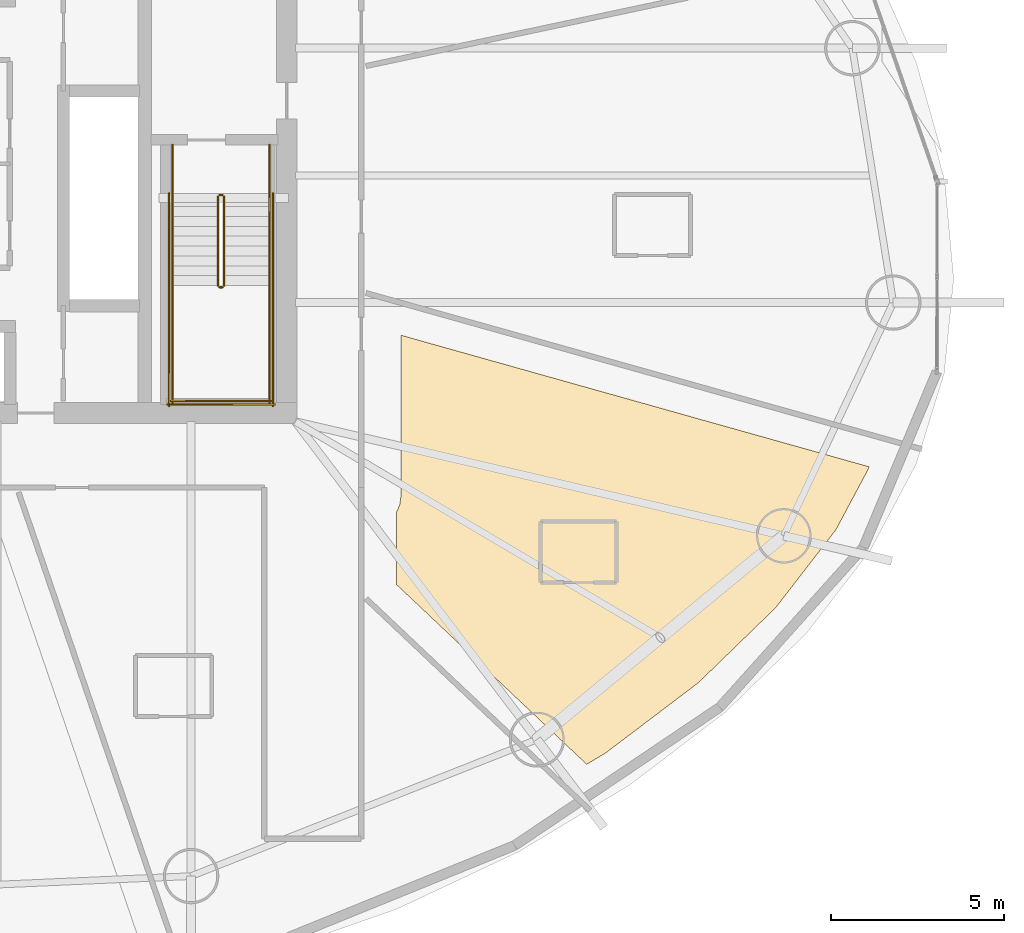
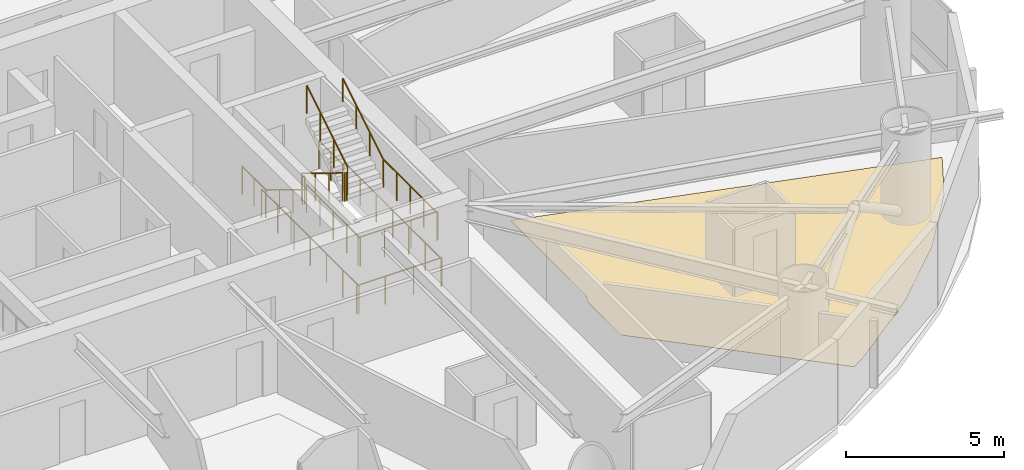
# One storey, part 26 of 27: 14 railings, 1 covering.
"""IFC4 building model written with IfcOpenShell, lengths in metres."""

from ifc_helpers import new_model, si_unit, direction, frame, origin, origin_2d, place, context, subcontext, project, spatial, polyline, circle, outline, extrude, material, layer, layer_set, type_object, element, save


model = new_model("IFC4")

# Units and contexts
model_context = context("Model", 3, precision=1e-05, world=origin(), true_north=direction((0.0, 1.0)))
body_context = subcontext(model_context, "Body", "Model", "MODEL_VIEW")
ifc_project = project(units=[si_unit("LENGTHUNIT", "METRE"), si_unit("AREAUNIT", "SQUARE_METRE"), si_unit("VOLUMEUNIT", "CUBIC_METRE"), si_unit("PLANEANGLEUNIT", "RADIAN"), si_unit("MASSUNIT", "GRAM", prefix="KILO")], contexts=[model_context])

# Site, building, storey
site_placement = place(None, origin())
site = spatial("IfcSite", under=ifc_project, at=site_placement, CompositionType="ELEMENT")
building_placement = place(site_placement, origin())
building = spatial("IfcBuilding", under=site, at=building_placement, Name="Bramvorn Convention Spire", CompositionType="ELEMENT")
storey_placement = place(building_placement, frame((0.0, 0.0, 79.89990234375)))
storey = spatial("IfcBuildingStorey", under=building, at=storey_placement, Name="L18", CompositionType="ELEMENT", Elevation=79.89990234375)

# Covering
ifc_material_1 = material(Name="Solution-Dyed Wool Broadloom Hospitality Carpet", Category="textile")
ifc_layer = layer(ifc_material_1, 0.014892578125)
ifc_layer_set = layer_set([ifc_layer], Name="Solution-Dyed Wool Broadloom Hospitality Carpet - FLR-CARPET-15")
covering_type = type_object("IfcCoveringType", Name="FLR-CARPET-15", PredefinedType="FLOORING", material=ifc_layer_set)
covering_placement = place(storey_placement, origin())
element("IfcCovering", 1, at=covering_placement, inside=storey, type_object=covering_type, Name="Hotel Suite 1812 wool broadloom carpet", PredefinedType="FLOORING", context=body_context, shape_type="SweptSolid", body=[
    extrude(outline(polyline([(52.169921875, 13.845703125), (57.66455078125, 8.652587890625), (58.21533203125, 8.98291015625), (60.892578125, 11.0107421875), (63.120849609375, 13.17236328125), (64.86572265625, 15.430419921875), (65.8330078125, 17.24560546875), (52.300048828125, 21.047607421875), (52.300048828125, 16.39990234375), (52.26123046875, 16.138671875), (52.169921875, 15.936279296875), (52.169921875, 13.845703125)])), origin(), (0.0, 0.0, 1.0), 0.01513671875),
])

# Railings
ifc_material_2 = material(Name="Painted Steel Balustrade & Guardrail", Category="steel")
railing_type_1 = type_object("IfcRailingType", Name="RL-STAIR-GUARD-1100", PredefinedType="GUARDRAIL", material=ifc_material_2)
railing_1_placement = place(storey_placement, frame((47.010009765625, 25.050048828125, 0.175048828125)))
element("IfcRailing", 2, at=railing_1_placement, inside=storey, type_object=railing_type_1, Name="L18 ST2 stair guard 1", PredefinedType="GUARDRAIL", context=body_context, shape_type="SweptSolid", body=[
    extrude(circle(Radius=0.02392578125, at=origin_2d()), frame((0.0, 0.0, 1.076171875), z_axis=(0.0, -0.852173129349, 0.523259933127), x_axis=(1.0, 0.0, 0.0)), (0.0, 0.0, 1.0), 3.009765625),
    extrude(circle(Radius=0.02099609375, at=origin_2d()), origin(), (0.0, 0.0, 1.0), 1.052001953125),
    extrude(circle(Radius=0.02099609375, at=origin_2d()), frame((0.0, -0.85498046875, 0.52490234375)), (0.0, 0.0, 1.0), 1.052001953125),
    extrude(circle(Radius=0.02099609375, at=origin_2d()), frame((0.0, -1.7099609375, 1.050048828125)), (0.0, 0.0, 1.0), 1.052001953125),
    extrude(circle(Radius=0.02099609375, at=origin_2d()), frame((0.0, -2.56494140625, 1.574951171875)), (0.0, 0.0, 1.0), 1.052001953125),
])
railing_2_placement = place(storey_placement, frame((47.06005859375, 22.43505859375, 1.75)))
element("IfcRailing", 3, at=railing_2_placement, inside=storey, type_object=railing_type_1, Name="L18 ST2 stair guard 2", PredefinedType="GUARDRAIL", context=body_context, shape_type="SweptSolid", body=[
    extrude(circle(Radius=0.02392578125, at=origin_2d()), frame((0.0, 0.0, 1.076171875), z_axis=(1.0, 0.0, 0.0), x_axis=(0.0, 1.0, 0.0)), (0.0, 0.0, 1.0), 0.079833984375),
    extrude(circle(Radius=0.02099609375, at=origin_2d()), origin(), (0.0, 0.0, 1.0), 1.052001953125),
    extrude(circle(Radius=0.02099609375, at=origin_2d()), frame((0.079833984375, 0.0, 0.0)), (0.0, 0.0, 1.0), 1.052001953125),
])
for number, where, name in (
    (4, (45.699951171875, 22.485107421875, 1.75), "L18 ST2 stair guard 3"),
    (5, (48.5, 22.485107421875, 1.75), "L18 ST2 stair guard 4"),
):
    element("IfcRailing", number, at=place(storey_placement, frame(where)), inside=storey, type_object=railing_type_1, Name=name, PredefinedType="GUARDRAIL", context=body_context, shape_type="SweptSolid", body=[
        extrude(circle(Radius=0.02392578125, at=origin_2d()), frame((0.0, 0.0, 1.076171875), z_axis=(0.0, -1.0, 0.0), x_axis=(1.0, 0.0, 0.0)), (0.0, 0.0, 1.0), 3.385009765625),
        extrude(circle(Radius=0.02099609375, at=origin_2d()), origin(), (0.0, 0.0, 1.0), 1.052001953125),
        extrude(circle(Radius=0.02099609375, at=origin_2d()), frame((0.0, -0.84619140625, 0.0)), (0.0, 0.0, 1.0), 1.052001953125),
        extrude(circle(Radius=0.02099609375, at=origin_2d()), frame((0.0, -1.6923828125, 0.0)), (0.0, 0.0, 1.0), 1.052001953125),
        extrude(circle(Radius=0.02099609375, at=origin_2d()), frame((0.0, -2.538818359375, 0.0)), (0.0, 0.0, 1.0), 1.052001953125),
        extrude(circle(Radius=0.02099609375, at=origin_2d()), frame((0.0, -3.385009765625, 0.0)), (0.0, 0.0, 1.0), 1.052001953125),
    ])
railing_3_placement = place(storey_placement, frame((45.64990234375, 19.14990234375, 1.75)))
element("IfcRailing", 6, at=railing_3_placement, inside=storey, type_object=railing_type_1, Name="L18 ST2 stair guard 5", PredefinedType="GUARDRAIL", context=body_context, shape_type="SweptSolid", body=[
    extrude(circle(Radius=0.02392578125, at=origin_2d()), frame((0.0, 0.0, 1.076171875), z_axis=(1.0, 0.0, 0.0), x_axis=(0.0, 1.0, 0.0)), (0.0, 0.0, 1.0), 2.900146484375),
    extrude(circle(Radius=0.02099609375, at=origin_2d()), origin(), (0.0, 0.0, 1.0), 1.052001953125),
    extrude(circle(Radius=0.02099609375, at=origin_2d()), frame((0.966796875, 0.0, 0.0)), (0.0, 0.0, 1.0), 1.052001953125),
    extrude(circle(Radius=0.02099609375, at=origin_2d()), frame((1.933349609375, 0.0, 0.0)), (0.0, 0.0, 1.0), 1.052001953125),
    extrude(circle(Radius=0.02099609375, at=origin_2d()), frame((2.900146484375, 0.0, 0.0)), (0.0, 0.0, 1.0), 1.052001953125),
])
railing_4_placement = place(storey_placement, frame((47.18994140625, 22.485107421875, 1.925048828125)))
element("IfcRailing", 7, at=railing_4_placement, inside=storey, type_object=railing_type_1, Name="L18 ST2 stair guard 6", PredefinedType="GUARDRAIL", context=body_context, shape_type="SweptSolid", body=[
    extrude(circle(Radius=0.02392578125, at=origin_2d()), frame((0.0, 0.0, 1.076171875), z_axis=(0.0, 0.852173129349, 0.523259933127), x_axis=(-1.0, 0.0, 0.0)), (0.0, 0.0, 1.0), 3.009765625),
    extrude(circle(Radius=0.02099609375, at=origin_2d()), origin(), (0.0, 0.0, 1.0), 1.052001953125),
    extrude(circle(Radius=0.02099609375, at=origin_2d()), frame((0.0, 0.85498046875, 0.52490234375)), (0.0, 0.0, 1.0), 1.052001953125),
    extrude(circle(Radius=0.02099609375, at=origin_2d()), frame((0.0, 1.7099609375, 1.050048828125)), (0.0, 0.0, 1.0), 1.052001953125),
    extrude(circle(Radius=0.02099609375, at=origin_2d()), frame((0.0, 2.56494140625, 1.574951171875)), (0.0, 0.0, 1.0), 1.052001953125),
])
railing_5_placement = place(storey_placement, frame((47.06005859375, 25.10009765625, 0.0)))
element("IfcRailing", 8, at=railing_5_placement, inside=storey, type_object=railing_type_1, Name="L18 ST2 stair guard 7", PredefinedType="GUARDRAIL", context=body_context, shape_type="SweptSolid", body=[
    extrude(circle(Radius=0.02392578125, at=origin_2d()), frame((0.0, 0.0, 1.076171875), z_axis=(1.0, 0.0, 0.0), x_axis=(0.0, 1.0, 0.0)), (0.0, 0.0, 1.0), 0.079833984375),
    extrude(circle(Radius=0.02099609375, at=origin_2d()), origin(), (0.0, 0.0, 1.0), 1.052001953125),
    extrude(circle(Radius=0.02099609375, at=origin_2d()), frame((0.079833984375, 0.0, 0.0)), (0.0, 0.0, 1.0), 1.052001953125),
])
for number, where, name in (
    (9, (45.699951171875, 26.550048828125, 0.0), "L18 ST2 stair guard 8"),
    (10, (48.5, 26.550048828125, 0.0), "L18 ST2 stair guard 9"),
):
    element("IfcRailing", number, at=place(storey_placement, frame(where)), inside=storey, type_object=railing_type_1, Name=name, PredefinedType="GUARDRAIL", context=body_context, shape_type="SweptSolid", body=[
        extrude(circle(Radius=0.02392578125, at=origin_2d()), frame((0.0, 0.0, 1.076171875), z_axis=(0.0, -1.0, 0.0), x_axis=(1.0, 0.0, 0.0)), (0.0, 0.0, 1.0), 1.5),
        extrude(circle(Radius=0.02099609375, at=origin_2d()), origin(), (0.0, 0.0, 1.0), 1.052001953125),
        extrude(circle(Radius=0.02099609375, at=origin_2d()), frame((0.0, -0.75, 0.0)), (0.0, 0.0, 1.0), 1.052001953125),
        extrude(circle(Radius=0.02099609375, at=origin_2d()), frame((0.0, -1.5, 0.0)), (0.0, 0.0, 1.0), 1.052001953125),
    ])
for number, where, name in (
    (11, (45.60009765625, 25.14990234375, 0.0), "L18 ST2 stair guard 10"),
    (12, (48.60009765625, 25.14990234375, 0.0), "L18 ST2 stair guard 11"),
):
    element("IfcRailing", number, at=place(storey_placement, frame(where)), inside=storey, type_object=railing_type_1, Name=name, PredefinedType="GUARDRAIL", context=body_context, shape_type="SweptSolid", body=[
        extrude(circle(Radius=0.02392578125, at=origin_2d()), frame((0.0, 0.0, 1.076171875), z_axis=(0.0, -1.0, 0.0), x_axis=(1.0, 0.0, 0.0)), (0.0, 0.0, 1.0), 6.14990234375),
        extrude(circle(Radius=0.02099609375, at=origin_2d()), origin(), (0.0, 0.0, 1.0), 1.052001953125),
        extrude(circle(Radius=0.02099609375, at=origin_2d()), frame((0.0, -1.02490234375, 0.0)), (0.0, 0.0, 1.0), 1.052001953125),
        extrude(circle(Radius=0.02099609375, at=origin_2d()), frame((0.0, -2.050048828125, 0.0)), (0.0, 0.0, 1.0), 1.052001953125),
        extrude(circle(Radius=0.02099609375, at=origin_2d()), frame((0.0, -3.074951171875, 0.0)), (0.0, 0.0, 1.0), 1.052001953125),
        extrude(circle(Radius=0.02099609375, at=origin_2d()), frame((0.0, -4.099853515625, 0.0)), (0.0, 0.0, 1.0), 1.052001953125),
        extrude(circle(Radius=0.02099609375, at=origin_2d()), frame((0.0, -5.125, 0.0)), (0.0, 0.0, 1.0), 1.052001953125),
        extrude(circle(Radius=0.02099609375, at=origin_2d()), frame((0.0, -6.14990234375, 0.0)), (0.0, 0.0, 1.0), 1.052001953125),
    ])
railing_6_placement = place(storey_placement, frame((45.550048828125, 19.050048828125, 0.0)))
element("IfcRailing", 13, at=railing_6_placement, inside=storey, type_object=railing_type_1, Name="L18 ST2 stair guard 12", PredefinedType="GUARDRAIL", context=body_context, shape_type="SweptSolid", body=[
    extrude(circle(Radius=0.02392578125, at=origin_2d()), frame((0.0, 0.0, 1.076171875), z_axis=(1.0, 0.0, 0.0), x_axis=(0.0, 1.0, 0.0)), (0.0, 0.0, 1.0), 3.099853515625),
    extrude(circle(Radius=0.02099609375, at=origin_2d()), origin(), (0.0, 0.0, 1.0), 1.052001953125),
    extrude(circle(Radius=0.02099609375, at=origin_2d()), frame((1.033203125, 0.0, 0.0)), (0.0, 0.0, 1.0), 1.052001953125),
    extrude(circle(Radius=0.02099609375, at=origin_2d()), frame((2.066650390625, 0.0, 0.0)), (0.0, 0.0, 1.0), 1.052001953125),
    extrude(circle(Radius=0.02099609375, at=origin_2d()), frame((3.099853515625, 0.0, 0.0)), (0.0, 0.0, 1.0), 1.052001953125),
])
ifc_material_3 = material(Name="Brushed Bronze Tubular Handrail", Category="aluminium")
railing_type_2 = type_object("IfcRailingType", Name="RL-STAIR-HR-920", PredefinedType="HANDRAIL", material=ifc_material_3)
railing_7_placement = place(storey_placement, frame((45.699951171875, 25.050048828125, 0.175048828125)))
element("IfcRailing", 14, at=railing_7_placement, inside=storey, type_object=railing_type_2, Name="L18 ST2 stair handrail 1", PredefinedType="HANDRAIL", context=body_context, shape_type="SweptSolid", body=[
    extrude(circle(Radius=0.02392578125, at=origin_2d()), frame((0.0, 0.0, 0.89599609375), z_axis=(0.0, -0.852173129349, 0.523259933127), x_axis=(1.0, 0.0, 0.0)), (0.0, 0.0, 1.0), 3.009765625),
    extrude(circle(Radius=0.02099609375, at=origin_2d()), origin(), (0.0, 0.0, 1.0), 0.871826171875),
    extrude(circle(Radius=0.02099609375, at=origin_2d()), frame((0.0, -0.85498046875, 0.52490234375)), (0.0, 0.0, 1.0), 0.871826171875),
    extrude(circle(Radius=0.02099609375, at=origin_2d()), frame((0.0, -1.7099609375, 1.050048828125)), (0.0, 0.0, 1.0), 0.871826171875),
    extrude(circle(Radius=0.02099609375, at=origin_2d()), frame((0.0, -2.56494140625, 1.574951171875)), (0.0, 0.0, 1.0), 0.871826171875),
])
railing_8_placement = place(storey_placement, frame((48.5, 22.485107421875, 1.925048828125)))
element("IfcRailing", 15, at=railing_8_placement, inside=storey, type_object=railing_type_2, Name="L18 ST2 stair handrail 2", PredefinedType="HANDRAIL", context=body_context, shape_type="SweptSolid", body=[
    extrude(circle(Radius=0.02392578125, at=origin_2d()), frame((0.0, 0.0, 0.89599609375), z_axis=(0.0, 0.852173129349, 0.523259933127), x_axis=(-1.0, 0.0, 0.0)), (0.0, 0.0, 1.0), 3.009765625),
    extrude(circle(Radius=0.02099609375, at=origin_2d()), origin(), (0.0, 0.0, 1.0), 0.871826171875),
    extrude(circle(Radius=0.02099609375, at=origin_2d()), frame((0.0, 0.85498046875, 0.52490234375)), (0.0, 0.0, 1.0), 0.871826171875),
    extrude(circle(Radius=0.02099609375, at=origin_2d()), frame((0.0, 1.7099609375, 1.050048828125)), (0.0, 0.0, 1.0), 0.871826171875),
    extrude(circle(Radius=0.02099609375, at=origin_2d()), frame((0.0, 2.56494140625, 1.574951171875)), (0.0, 0.0, 1.0), 0.871826171875),
])

save(model, "model.ifc")
